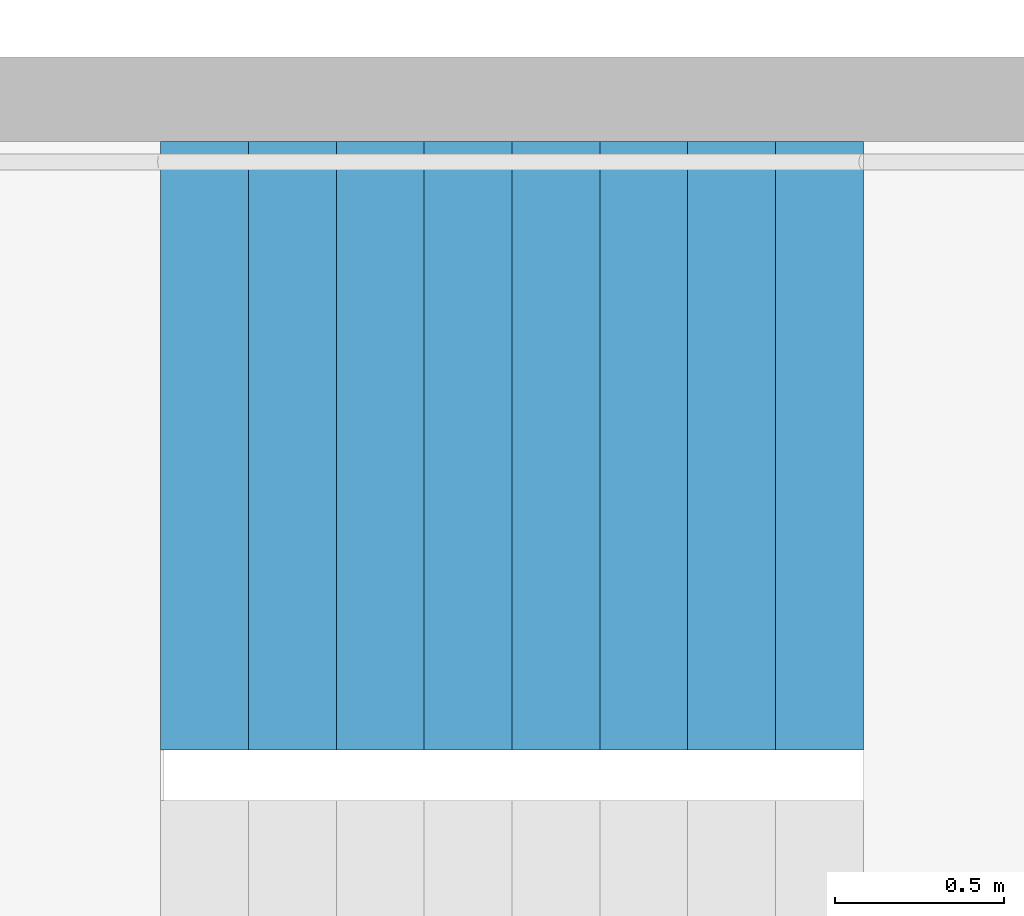
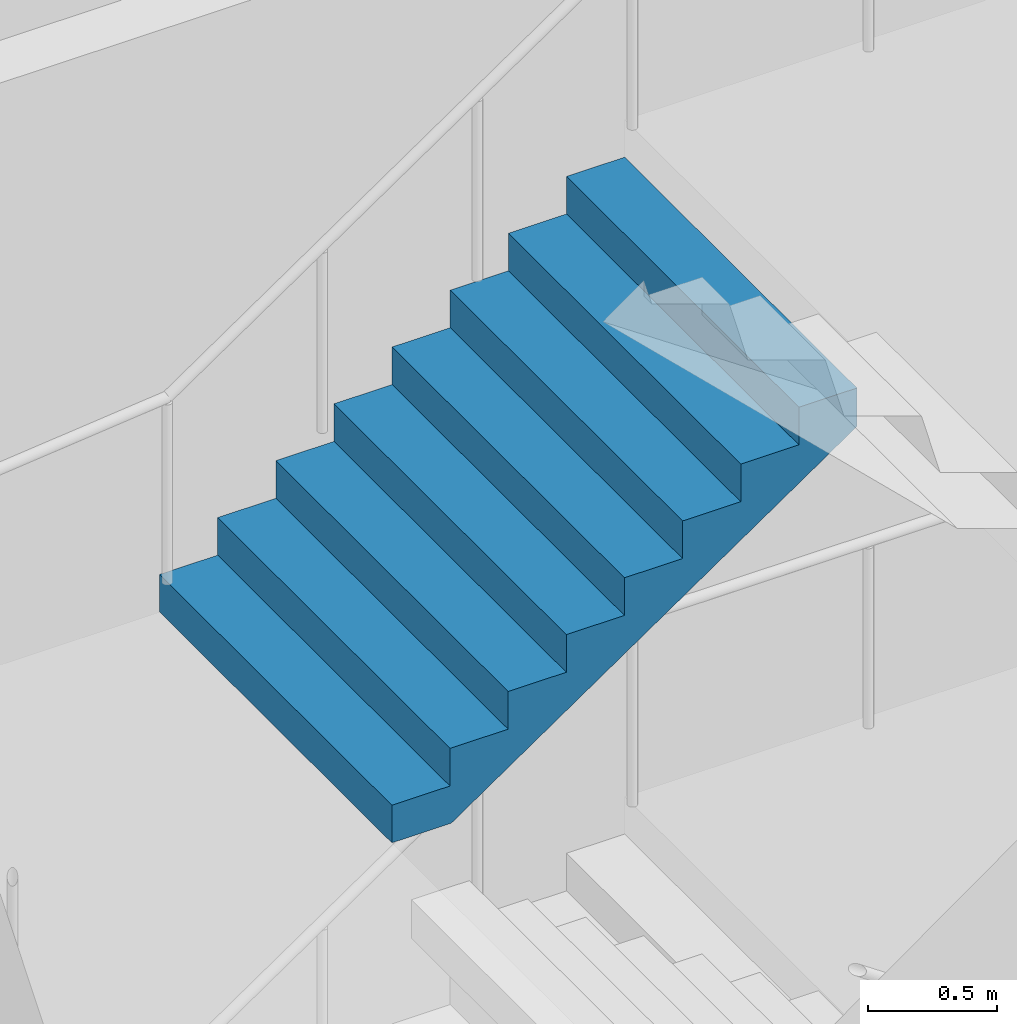
# One storey, part 28 of 43: 1 stair flight, 1 element without a shape of its own.
"""IFC4 building model written with IfcOpenShell, lengths in metres."""

from ifc_helpers import new_model, si_unit, direction, frame, origin, place, context, subcontext, project, spatial, triangles, material, type_object, element, aggregate, save


model = new_model("IFC4")

# Units and contexts
model_context = context("Model", 3, precision=1e-05, world=origin(), true_north=direction((0.0, 1.0)))
body_context = subcontext(model_context, "Body", "Model", "MODEL_VIEW")
ifc_project = project(units=[si_unit("LENGTHUNIT", "METRE"), si_unit("AREAUNIT", "SQUARE_METRE"), si_unit("VOLUMEUNIT", "CUBIC_METRE"), si_unit("PLANEANGLEUNIT", "RADIAN"), si_unit("MASSUNIT", "GRAM", prefix="KILO")], contexts=[model_context])

# Site, building, storey
site_placement = place(None, origin())
site = spatial("IfcSite", under=ifc_project, at=site_placement, CompositionType="ELEMENT")
building_placement = place(site_placement, origin())
building = spatial("IfcBuilding", under=site, at=building_placement, Name="Hakoniwa Tower and Hamabe Station Hall", CompositionType="ELEMENT")
storey_placement = place(building_placement, frame((0.0, 0.0, 124.60009765625)))
storey = spatial("IfcBuildingStorey", under=building, at=storey_placement, Name="L35", CompositionType="ELEMENT", Elevation=124.60009765625)

# Stair, stair flight
ifc_material_1 = material(Name="Concrete C40", Category="concrete")
stair_type = type_object("IfcStairType", Name="ESCAPE STAIR 1800", PredefinedType="HALF_TURN_STAIR", material=ifc_material_1)
stair_placement = place(storey_placement, origin())
stair = element("IfcStair", 1, at=stair_placement, inside=storey, type_object=stair_type, Name="Escape stair ST-4 L35", PredefinedType="HALF_TURN_STAIR")
ifc_material_2 = material(Name="Concrete C40", Category="concrete")
stair_flight_type = type_object("IfcStairFlightType", Name="STAIR FLIGHT 1800", PredefinedType="STRAIGHT", material=ifc_material_2)
stair_flight_placement = place(storey_placement, frame((23.39990234375, -4.64990234375, 3.199951171875), z_axis=(0.0, 0.0, 1.0), x_axis=(1.0, 0.0, 0.0)))
stair_flight = element("IfcStairFlight", 2, at=stair_flight_placement, type_object=stair_flight_type, Name="ST-4 flight 3", NumberOfRisers=9, NumberOfTreads=8, PredefinedType="STRAIGHT", RiserHeight=0.177777778, TreadLength=0.26, context=body_context, shape_type="Tessellation", body=[
    triangles([(0.0, 0.89990234375, 0.0), (0.260009765625, 0.89990234375, 0.0), (0.265625, 0.89990234375, 0.0), (0.52001953125, 0.89990234375, 0.174072265625), (0.780029296875, 0.89990234375, 0.351806640625), (1.0400390625, 0.89990234375, 0.529541015625), (1.300048828125, 0.89990234375, 0.707275390625), (1.56005859375, 0.89990234375, 0.885009765625), (1.820068359375, 0.89990234375, 1.062744140625), (2.080078125, 0.89990234375, 1.24072265625), (2.080078125, 0.89990234375, 1.422119140625), (1.820068359375, 0.89990234375, 1.422119140625), (1.820068359375, 0.89990234375, 1.244384765625), (1.56005859375, 0.89990234375, 1.244384765625), (1.56005859375, 0.89990234375, 1.066650390625), (1.300048828125, 0.89990234375, 1.066650390625), (1.300048828125, 0.89990234375, 0.888916015625), (1.0400390625, 0.89990234375, 0.888916015625), (1.0400390625, 0.89990234375, 0.711181640625), (0.780029296875, 0.89990234375, 0.711181640625), (0.780029296875, 0.89990234375, 0.533447265625), (0.52001953125, 0.89990234375, 0.533447265625), (0.52001953125, 0.89990234375, 0.35546875), (0.265625, 0.89990234375, 0.35546875), (0.260009765625, 0.89990234375, 0.35546875), (0.260009765625, 0.89990234375, 0.177734375), (0.0, 0.89990234375, 0.177734375), (0.0, 0.06005859375, 0.0), (0.260009765625, 0.06005859375, 0.0), (0.265625, 0.06005859375, 0.0), (0.52001953125, 0.06005859375, 0.174072265625), (0.780029296875, 0.06005859375, 0.351806640625), (1.0400390625, 0.06005859375, 0.529541015625), (1.300048828125, 0.06005859375, 0.707275390625), (1.56005859375, 0.06005859375, 0.885009765625), (1.820068359375, 0.06005859375, 1.062744140625), (2.080078125, 0.06005859375, 1.24072265625), (2.080078125, 0.06005859375, 1.422119140625), (1.820068359375, 0.06005859375, 1.422119140625), (1.820068359375, 0.06005859375, 1.244384765625), (1.56005859375, 0.06005859375, 1.244384765625), (1.56005859375, 0.06005859375, 1.066650390625), (1.300048828125, 0.06005859375, 1.066650390625), (1.300048828125, 0.06005859375, 0.888916015625), (1.0400390625, 0.06005859375, 0.888916015625), (1.0400390625, 0.06005859375, 0.711181640625), (0.780029296875, 0.06005859375, 0.711181640625), (0.780029296875, 0.06005859375, 0.533447265625), (0.52001953125, 0.06005859375, 0.533447265625), (0.52001953125, 0.06005859375, 0.35546875), (0.265625, 0.06005859375, 0.35546875), (0.260009765625, 0.06005859375, 0.35546875), (0.260009765625, 0.06005859375, 0.177734375), (0.0, 0.06005859375, 0.177734375), (0.0, 0.04296875, 0.0), (0.260009765625, 0.04296875, 0.0), (0.265625, 0.04296875, 0.0), (0.52001953125, 0.04296875, 0.174072265625), (0.780029296875, 0.04296875, 0.351806640625), (1.0400390625, 0.04296875, 0.529541015625), (1.300048828125, 0.04296875, 0.707275390625), (1.56005859375, 0.04296875, 0.885009765625), (1.820068359375, 0.04296875, 1.062744140625), (2.080078125, 0.04296875, 1.24072265625), (2.080078125, 0.04296875, 1.422119140625), (1.820068359375, 0.04296875, 1.422119140625), (1.820068359375, 0.04296875, 1.244384765625), (1.56005859375, 0.04296875, 1.244384765625), (1.56005859375, 0.04296875, 1.066650390625), (1.300048828125, 0.04296875, 1.066650390625), (1.300048828125, 0.04296875, 0.888916015625), (1.0400390625, 0.04296875, 0.888916015625), (1.0400390625, 0.04296875, 0.711181640625), (0.780029296875, 0.04296875, 0.711181640625), (0.780029296875, 0.04296875, 0.533447265625), (0.52001953125, 0.04296875, 0.533447265625), (0.52001953125, 0.04296875, 0.35546875), (0.265625, 0.04296875, 0.35546875), (0.260009765625, 0.04296875, 0.35546875), (0.260009765625, 0.04296875, 0.177734375), (0.0, 0.04296875, 0.177734375), (0.0, 0.025634765625, 0.0), (0.260009765625, 0.025634765625, 0.0), (0.265625, 0.025634765625, 0.0), (0.52001953125, 0.025634765625, 0.174072265625), (0.780029296875, 0.025634765625, 0.351806640625), (1.0400390625, 0.025634765625, 0.529541015625), (1.300048828125, 0.025634765625, 0.707275390625), (1.56005859375, 0.025634765625, 0.885009765625), (1.820068359375, 0.025634765625, 1.062744140625), (2.080078125, 0.025634765625, 1.24072265625), (2.080078125, 0.025634765625, 1.422119140625), (1.820068359375, 0.025634765625, 1.422119140625), (1.820068359375, 0.025634765625, 1.244384765625), (1.56005859375, 0.025634765625, 1.244384765625), (1.56005859375, 0.025634765625, 1.066650390625), (1.300048828125, 0.025634765625, 1.066650390625), (1.300048828125, 0.025634765625, 0.888916015625), (1.0400390625, 0.025634765625, 0.888916015625), (1.0400390625, 0.025634765625, 0.711181640625), (0.780029296875, 0.025634765625, 0.711181640625), (0.780029296875, 0.025634765625, 0.533447265625), (0.52001953125, 0.025634765625, 0.533447265625), (0.52001953125, 0.025634765625, 0.35546875), (0.265625, 0.025634765625, 0.35546875), (0.260009765625, 0.025634765625, 0.35546875), (0.260009765625, 0.025634765625, 0.177734375), (0.0, 0.025634765625, 0.177734375), (0.0, 0.008544921875, 0.0), (0.260009765625, 0.008544921875, 0.0), (0.265625, 0.008544921875, 0.0), (0.52001953125, 0.008544921875, 0.174072265625), (0.780029296875, 0.008544921875, 0.351806640625), (1.0400390625, 0.008544921875, 0.529541015625), (1.300048828125, 0.008544921875, 0.707275390625), (1.56005859375, 0.008544921875, 0.885009765625), (1.820068359375, 0.008544921875, 1.062744140625), (2.080078125, 0.008544921875, 1.24072265625), (2.080078125, 0.008544921875, 1.422119140625), (1.820068359375, 0.008544921875, 1.422119140625), (1.820068359375, 0.008544921875, 1.244384765625), (1.56005859375, 0.008544921875, 1.244384765625), (1.56005859375, 0.008544921875, 1.066650390625), (1.300048828125, 0.008544921875, 1.066650390625), (1.300048828125, 0.008544921875, 0.888916015625), (1.0400390625, 0.008544921875, 0.888916015625), (1.0400390625, 0.008544921875, 0.711181640625), (0.780029296875, 0.008544921875, 0.711181640625), (0.780029296875, 0.008544921875, 0.533447265625), (0.52001953125, 0.008544921875, 0.533447265625), (0.52001953125, 0.008544921875, 0.35546875), (0.265625, 0.008544921875, 0.35546875), (0.260009765625, 0.008544921875, 0.35546875), (0.260009765625, 0.008544921875, 0.177734375), (0.0, 0.008544921875, 0.177734375), (0.0, -0.008544921875, 0.0), (0.260009765625, -0.008544921875, 0.0), (0.265625, -0.008544921875, 0.0), (0.52001953125, -0.008544921875, 0.174072265625), (0.780029296875, -0.008544921875, 0.351806640625), (1.0400390625, -0.008544921875, 0.529541015625), (1.300048828125, -0.008544921875, 0.707275390625), (1.56005859375, -0.008544921875, 0.885009765625), (1.820068359375, -0.008544921875, 1.062744140625), (2.080078125, -0.008544921875, 1.24072265625), (2.080078125, -0.008544921875, 1.422119140625), (1.820068359375, -0.008544921875, 1.422119140625), (1.820068359375, -0.008544921875, 1.244384765625), (1.56005859375, -0.008544921875, 1.244384765625), (1.56005859375, -0.008544921875, 1.066650390625), (1.300048828125, -0.008544921875, 1.066650390625), (1.300048828125, -0.008544921875, 0.888916015625), (1.0400390625, -0.008544921875, 0.888916015625), (1.0400390625, -0.008544921875, 0.711181640625), (0.780029296875, -0.008544921875, 0.711181640625), (0.780029296875, -0.008544921875, 0.533447265625), (0.52001953125, -0.008544921875, 0.533447265625), (0.52001953125, -0.008544921875, 0.35546875), (0.265625, -0.008544921875, 0.35546875), (0.260009765625, -0.008544921875, 0.35546875), (0.260009765625, -0.008544921875, 0.177734375), (0.0, -0.008544921875, 0.177734375), (0.0, -0.025634765625, 0.0), (0.260009765625, -0.025634765625, 0.0), (0.265625, -0.025634765625, 0.0), (0.52001953125, -0.025634765625, 0.174072265625), (0.780029296875, -0.025634765625, 0.351806640625), (1.0400390625, -0.025634765625, 0.529541015625), (1.300048828125, -0.025634765625, 0.707275390625), (1.56005859375, -0.025634765625, 0.885009765625), (1.820068359375, -0.025634765625, 1.062744140625), (2.080078125, -0.025634765625, 1.24072265625), (2.080078125, -0.025634765625, 1.422119140625), (1.820068359375, -0.025634765625, 1.422119140625), (1.820068359375, -0.025634765625, 1.244384765625), (1.56005859375, -0.025634765625, 1.244384765625), (1.56005859375, -0.025634765625, 1.066650390625), (1.300048828125, -0.025634765625, 1.066650390625), (1.300048828125, -0.025634765625, 0.888916015625), (1.0400390625, -0.025634765625, 0.888916015625), (1.0400390625, -0.025634765625, 0.711181640625), (0.780029296875, -0.025634765625, 0.711181640625), (0.780029296875, -0.025634765625, 0.533447265625), (0.52001953125, -0.025634765625, 0.533447265625), (0.52001953125, -0.025634765625, 0.35546875), (0.265625, -0.025634765625, 0.35546875), (0.260009765625, -0.025634765625, 0.35546875), (0.260009765625, -0.025634765625, 0.177734375), (0.0, -0.025634765625, 0.177734375), (0.0, -0.04296875, 0.0), (0.260009765625, -0.04296875, 0.0), (0.265625, -0.04296875, 0.0), (0.52001953125, -0.04296875, 0.174072265625), (0.780029296875, -0.04296875, 0.351806640625), (1.0400390625, -0.04296875, 0.529541015625), (1.300048828125, -0.04296875, 0.707275390625), (1.56005859375, -0.04296875, 0.885009765625), (1.820068359375, -0.04296875, 1.062744140625), (2.080078125, -0.04296875, 1.24072265625), (2.080078125, -0.04296875, 1.422119140625), (1.820068359375, -0.04296875, 1.422119140625), (1.820068359375, -0.04296875, 1.244384765625), (1.56005859375, -0.04296875, 1.244384765625), (1.56005859375, -0.04296875, 1.066650390625), (1.300048828125, -0.04296875, 1.066650390625), (1.300048828125, -0.04296875, 0.888916015625), (1.0400390625, -0.04296875, 0.888916015625), (1.0400390625, -0.04296875, 0.711181640625), (0.780029296875, -0.04296875, 0.711181640625), (0.780029296875, -0.04296875, 0.533447265625), (0.52001953125, -0.04296875, 0.533447265625), (0.52001953125, -0.04296875, 0.35546875), (0.265625, -0.04296875, 0.35546875), (0.260009765625, -0.04296875, 0.35546875), (0.260009765625, -0.04296875, 0.177734375), (0.0, -0.04296875, 0.177734375), (0.0, -0.06005859375, 0.0), (0.260009765625, -0.06005859375, 0.0), (0.265625, -0.06005859375, 0.0), (0.52001953125, -0.06005859375, 0.174072265625), (0.780029296875, -0.06005859375, 0.351806640625), (1.0400390625, -0.06005859375, 0.529541015625), (1.300048828125, -0.06005859375, 0.707275390625), (1.56005859375, -0.06005859375, 0.885009765625), (1.820068359375, -0.06005859375, 1.062744140625), (2.080078125, -0.06005859375, 1.24072265625), (2.080078125, -0.06005859375, 1.422119140625), (1.820068359375, -0.06005859375, 1.422119140625), (1.820068359375, -0.06005859375, 1.244384765625), (1.56005859375, -0.06005859375, 1.244384765625), (1.56005859375, -0.06005859375, 1.066650390625), (1.300048828125, -0.06005859375, 1.066650390625), (1.300048828125, -0.06005859375, 0.888916015625), (1.0400390625, -0.06005859375, 0.888916015625), (1.0400390625, -0.06005859375, 0.711181640625), (0.780029296875, -0.06005859375, 0.711181640625), (0.780029296875, -0.06005859375, 0.533447265625), (0.52001953125, -0.06005859375, 0.533447265625), (0.52001953125, -0.06005859375, 0.35546875), (0.265625, -0.06005859375, 0.35546875), (0.260009765625, -0.06005859375, 0.35546875), (0.260009765625, -0.06005859375, 0.177734375), (0.0, -0.06005859375, 0.177734375), (0.0, -0.89990234375, 0.0), (0.260009765625, -0.89990234375, 0.0), (0.265625, -0.89990234375, 0.0), (0.52001953125, -0.89990234375, 0.174072265625), (0.780029296875, -0.89990234375, 0.351806640625), (1.0400390625, -0.89990234375, 0.529541015625), (1.300048828125, -0.89990234375, 0.707275390625), (1.56005859375, -0.89990234375, 0.885009765625), (1.820068359375, -0.89990234375, 1.062744140625), (2.080078125, -0.89990234375, 1.24072265625), (2.080078125, -0.89990234375, 1.422119140625), (1.820068359375, -0.89990234375, 1.422119140625), (1.820068359375, -0.89990234375, 1.244384765625), (1.56005859375, -0.89990234375, 1.244384765625), (1.56005859375, -0.89990234375, 1.066650390625), (1.300048828125, -0.89990234375, 1.066650390625), (1.300048828125, -0.89990234375, 0.888916015625), (1.0400390625, -0.89990234375, 0.888916015625), (1.0400390625, -0.89990234375, 0.711181640625), (0.780029296875, -0.89990234375, 0.711181640625), (0.780029296875, -0.89990234375, 0.533447265625), (0.52001953125, -0.89990234375, 0.533447265625), (0.52001953125, -0.89990234375, 0.35546875), (0.265625, -0.89990234375, 0.35546875), (0.260009765625, -0.89990234375, 0.35546875), (0.260009765625, -0.89990234375, 0.177734375), (0.0, -0.89990234375, 0.177734375)], [[2, 27, 26], [245, 269, 270], [2, 1, 27], [245, 270, 244], [3, 25, 24], [246, 267, 268], [3, 26, 25], [246, 268, 269], [3, 2, 26], [246, 269, 245], [4, 24, 23], [247, 266, 267], [4, 3, 24], [247, 267, 246], [5, 22, 21], [248, 264, 265], [5, 23, 22], [248, 265, 266], [5, 4, 23], [248, 266, 247], [6, 20, 19], [249, 262, 263], [6, 21, 20], [249, 263, 264], [6, 5, 21], [249, 264, 248], [7, 18, 17], [250, 260, 261], [7, 19, 18], [250, 261, 262], [7, 6, 19], [250, 262, 249], [8, 16, 15], [251, 258, 259], [8, 17, 16], [251, 259, 260], [8, 7, 17], [251, 260, 250], [9, 14, 13], [252, 256, 257], [9, 15, 14], [252, 257, 258], [9, 8, 15], [252, 258, 251], [10, 12, 11], [253, 254, 255], [10, 13, 12], [253, 255, 256], [10, 9, 13], [253, 256, 252], [1, 2, 29], [1, 29, 28], [28, 29, 56], [28, 56, 55], [55, 56, 83], [55, 83, 82], [82, 83, 110], [82, 110, 109], [109, 110, 137], [109, 137, 136], [136, 137, 164], [136, 164, 163], [163, 164, 191], [163, 191, 190], [190, 191, 218], [190, 218, 217], [217, 218, 245], [217, 245, 244], [2, 3, 30], [2, 30, 29], [29, 30, 57], [29, 57, 56], [56, 57, 84], [56, 84, 83], [83, 84, 111], [83, 111, 110], [110, 111, 138], [110, 138, 137], [137, 138, 165], [137, 165, 164], [164, 165, 192], [164, 192, 191], [191, 192, 219], [191, 219, 218], [218, 219, 246], [218, 246, 245], [3, 4, 31], [3, 31, 30], [30, 31, 58], [30, 58, 57], [57, 58, 85], [57, 85, 84], [84, 85, 112], [84, 112, 111], [111, 112, 139], [111, 139, 138], [138, 139, 166], [138, 166, 165], [165, 166, 193], [165, 193, 192], [192, 193, 220], [192, 220, 219], [219, 220, 247], [219, 247, 246], [4, 5, 32], [4, 32, 31], [31, 32, 59], [31, 59, 58], [58, 59, 86], [58, 86, 85], [85, 86, 113], [85, 113, 112], [112, 113, 140], [112, 140, 139], [139, 140, 167], [139, 167, 166], [166, 167, 194], [166, 194, 193], [193, 194, 221], [193, 221, 220], [220, 221, 248], [220, 248, 247], [5, 6, 33], [5, 33, 32], [32, 33, 60], [32, 60, 59], [59, 60, 87], [59, 87, 86], [86, 87, 114], [86, 114, 113], [113, 114, 141], [113, 141, 140], [140, 141, 168], [140, 168, 167], [167, 168, 195], [167, 195, 194], [194, 195, 222], [194, 222, 221], [221, 222, 249], [221, 249, 248], [6, 7, 34], [6, 34, 33], [33, 34, 61], [33, 61, 60], [60, 61, 88], [60, 88, 87], [87, 88, 115], [87, 115, 114], [114, 115, 142], [114, 142, 141], [141, 142, 169], [141, 169, 168], [168, 169, 196], [168, 196, 195], [195, 196, 223], [195, 223, 222], [222, 223, 250], [222, 250, 249], [7, 8, 35], [7, 35, 34], [34, 35, 62], [34, 62, 61], [61, 62, 89], [61, 89, 88], [88, 89, 116], [88, 116, 115], [115, 116, 143], [115, 143, 142], [142, 143, 170], [142, 170, 169], [169, 170, 197], [169, 197, 196], [196, 197, 224], [196, 224, 223], [223, 224, 251], [223, 251, 250], [8, 9, 36], [8, 36, 35], [35, 36, 63], [35, 63, 62], [62, 63, 90], [62, 90, 89], [89, 90, 117], [89, 117, 116], [116, 117, 144], [116, 144, 143], [143, 144, 171], [143, 171, 170], [170, 171, 198], [170, 198, 197], [197, 198, 225], [197, 225, 224], [224, 225, 252], [224, 252, 251], [9, 10, 37], [9, 37, 36], [36, 37, 64], [36, 64, 63], [63, 64, 91], [63, 91, 90], [90, 91, 118], [90, 118, 117], [117, 118, 145], [117, 145, 144], [144, 145, 172], [144, 172, 171], [171, 172, 199], [171, 199, 198], [198, 199, 226], [198, 226, 225], [225, 226, 253], [225, 253, 252], [10, 11, 38], [10, 38, 37], [37, 38, 65], [37, 65, 64], [64, 65, 92], [64, 92, 91], [91, 92, 119], [91, 119, 118], [118, 119, 146], [118, 146, 145], [145, 146, 173], [145, 173, 172], [172, 173, 200], [172, 200, 199], [199, 200, 227], [199, 227, 226], [226, 227, 254], [226, 254, 253], [11, 12, 39], [11, 39, 38], [38, 39, 66], [38, 66, 65], [65, 66, 93], [65, 93, 92], [92, 93, 120], [92, 120, 119], [119, 120, 147], [119, 147, 146], [146, 147, 174], [146, 174, 173], [173, 174, 201], [173, 201, 200], [200, 201, 228], [200, 228, 227], [227, 228, 255], [227, 255, 254], [12, 13, 40], [12, 40, 39], [39, 40, 67], [39, 67, 66], [66, 67, 94], [66, 94, 93], [93, 94, 121], [93, 121, 120], [120, 121, 148], [120, 148, 147], [147, 148, 175], [147, 175, 174], [174, 175, 202], [174, 202, 201], [201, 202, 229], [201, 229, 228], [228, 229, 256], [228, 256, 255], [13, 14, 41], [13, 41, 40], [40, 41, 68], [40, 68, 67], [67, 68, 95], [67, 95, 94], [94, 95, 122], [94, 122, 121], [121, 122, 149], [121, 149, 148], [148, 149, 176], [148, 176, 175], [175, 176, 203], [175, 203, 202], [202, 203, 230], [202, 230, 229], [229, 230, 257], [229, 257, 256], [14, 15, 42], [14, 42, 41], [41, 42, 69], [41, 69, 68], [68, 69, 96], [68, 96, 95], [95, 96, 123], [95, 123, 122], [122, 123, 150], [122, 150, 149], [149, 150, 177], [149, 177, 176], [176, 177, 204], [176, 204, 203], [203, 204, 231], [203, 231, 230], [230, 231, 258], [230, 258, 257], [15, 16, 43], [15, 43, 42], [42, 43, 70], [42, 70, 69], [69, 70, 97], [69, 97, 96], [96, 97, 124], [96, 124, 123], [123, 124, 151], [123, 151, 150], [150, 151, 178], [150, 178, 177], [177, 178, 205], [177, 205, 204], [204, 205, 232], [204, 232, 231], [231, 232, 259], [231, 259, 258], [16, 17, 44], [16, 44, 43], [43, 44, 71], [43, 71, 70], [70, 71, 98], [70, 98, 97], [97, 98, 125], [97, 125, 124], [124, 125, 152], [124, 152, 151], [151, 152, 179], [151, 179, 178], [178, 179, 206], [178, 206, 205], [205, 206, 233], [205, 233, 232], [232, 233, 260], [232, 260, 259], [17, 18, 45], [17, 45, 44], [44, 45, 72], [44, 72, 71], [71, 72, 99], [71, 99, 98], [98, 99, 126], [98, 126, 125], [125, 126, 153], [125, 153, 152], [152, 153, 180], [152, 180, 179], [179, 180, 207], [179, 207, 206], [206, 207, 234], [206, 234, 233], [233, 234, 261], [233, 261, 260], [18, 19, 46], [18, 46, 45], [45, 46, 73], [45, 73, 72], [72, 73, 100], [72, 100, 99], [99, 100, 127], [99, 127, 126], [126, 127, 154], [126, 154, 153], [153, 154, 181], [153, 181, 180], [180, 181, 208], [180, 208, 207], [207, 208, 235], [207, 235, 234], [234, 235, 262], [234, 262, 261], [19, 20, 47], [19, 47, 46], [46, 47, 74], [46, 74, 73], [73, 74, 101], [73, 101, 100], [100, 101, 128], [100, 128, 127], [127, 128, 155], [127, 155, 154], [154, 155, 182], [154, 182, 181], [181, 182, 209], [181, 209, 208], [208, 209, 236], [208, 236, 235], [235, 236, 263], [235, 263, 262], [20, 21, 48], [20, 48, 47], [47, 48, 75], [47, 75, 74], [74, 75, 102], [74, 102, 101], [101, 102, 129], [101, 129, 128], [128, 129, 156], [128, 156, 155], [155, 156, 183], [155, 183, 182], [182, 183, 210], [182, 210, 209], [209, 210, 237], [209, 237, 236], [236, 237, 264], [236, 264, 263], [21, 22, 49], [21, 49, 48], [48, 49, 76], [48, 76, 75], [75, 76, 103], [75, 103, 102], [102, 103, 130], [102, 130, 129], [129, 130, 157], [129, 157, 156], [156, 157, 184], [156, 184, 183], [183, 184, 211], [183, 211, 210], [210, 211, 238], [210, 238, 237], [237, 238, 265], [237, 265, 264], [22, 23, 50], [22, 50, 49], [49, 50, 77], [49, 77, 76], [76, 77, 104], [76, 104, 103], [103, 104, 131], [103, 131, 130], [130, 131, 158], [130, 158, 157], [157, 158, 185], [157, 185, 184], [184, 185, 212], [184, 212, 211], [211, 212, 239], [211, 239, 238], [238, 239, 266], [238, 266, 265], [23, 24, 51], [23, 51, 50], [50, 51, 78], [50, 78, 77], [77, 78, 105], [77, 105, 104], [104, 105, 132], [104, 132, 131], [131, 132, 159], [131, 159, 158], [158, 159, 186], [158, 186, 185], [185, 186, 213], [185, 213, 212], [212, 213, 240], [212, 240, 239], [239, 240, 267], [239, 267, 266], [24, 25, 52], [24, 52, 51], [51, 52, 79], [51, 79, 78], [78, 79, 106], [78, 106, 105], [105, 106, 133], [105, 133, 132], [132, 133, 160], [132, 160, 159], [159, 160, 187], [159, 187, 186], [186, 187, 214], [186, 214, 213], [213, 214, 241], [213, 241, 240], [240, 241, 268], [240, 268, 267], [25, 26, 53], [25, 53, 52], [52, 53, 80], [52, 80, 79], [79, 80, 107], [79, 107, 106], [106, 107, 134], [106, 134, 133], [133, 134, 161], [133, 161, 160], [160, 161, 188], [160, 188, 187], [187, 188, 215], [187, 215, 214], [214, 215, 242], [214, 242, 241], [241, 242, 269], [241, 269, 268], [26, 27, 54], [26, 54, 53], [53, 54, 81], [53, 81, 80], [80, 81, 108], [80, 108, 107], [107, 108, 135], [107, 135, 134], [134, 135, 162], [134, 162, 161], [161, 162, 189], [161, 189, 188], [188, 189, 216], [188, 216, 215], [215, 216, 243], [215, 243, 242], [242, 243, 270], [242, 270, 269], [27, 1, 28], [27, 28, 54], [54, 28, 55], [54, 55, 81], [81, 55, 82], [81, 82, 108], [108, 82, 109], [108, 109, 135], [135, 109, 136], [135, 136, 162], [162, 136, 163], [162, 163, 189], [189, 163, 190], [189, 190, 216], [216, 190, 217], [216, 217, 243], [243, 217, 244], [243, 244, 270]], closed=True),
])
aggregate(stair, [stair_flight])

save(model, "model.ifc")
